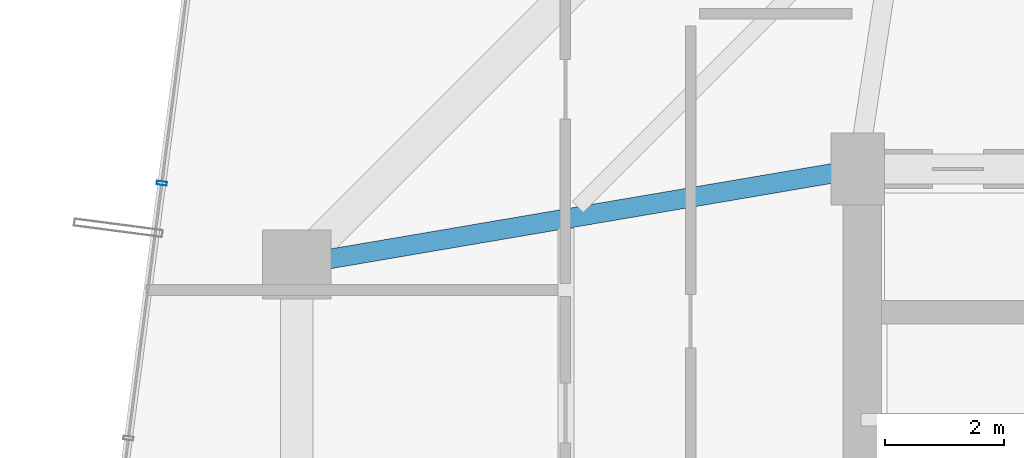
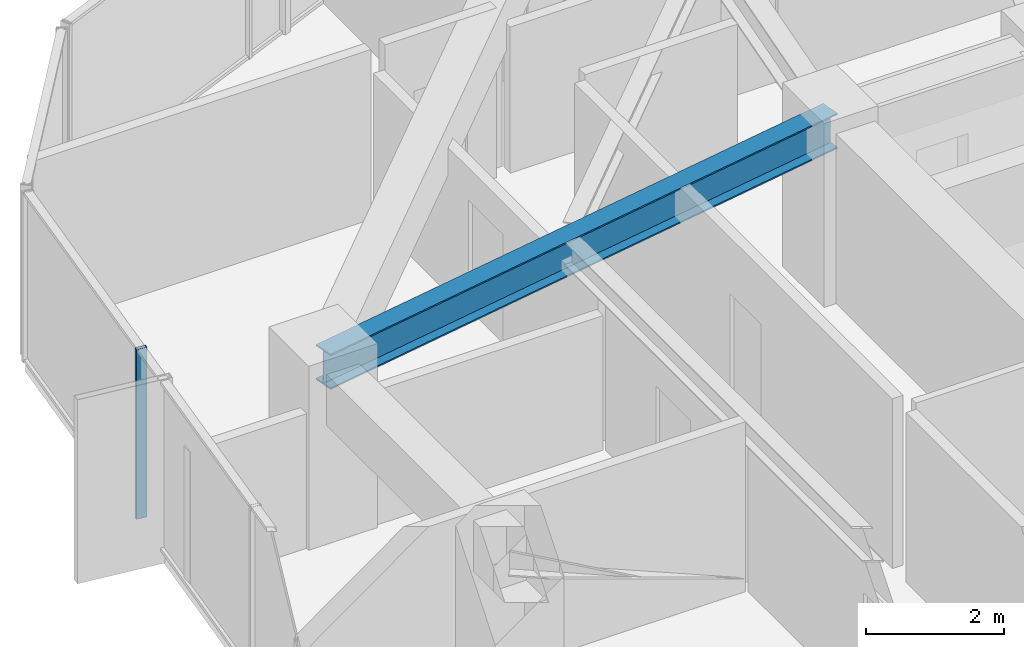
# One storey, part 12 of 30: 1 beam, 1 member, 1 element without a shape of its own.
"""IFC4 building model written with IfcOpenShell, lengths in metres."""

from ifc_helpers import new_model, si_unit, direction, frame, origin, origin_2d, place, context, subcontext, project, spatial, hollow_rectangle, i_section, extrude, source, transform, mapped, material, layer, layer_set, material_profile, profile_set, type_object, element, aggregate, save


model = new_model("IFC4")

# Units and contexts
model_context = context("Model", 3, precision=1e-05, world=origin(), true_north=direction((0.0, 1.0)))
body_context = subcontext(model_context, "Body", "Model", "MODEL_VIEW")
ifc_project = project(units=[si_unit("LENGTHUNIT", "METRE"), si_unit("AREAUNIT", "SQUARE_METRE"), si_unit("VOLUMEUNIT", "CUBIC_METRE"), si_unit("PLANEANGLEUNIT", "RADIAN"), si_unit("MASSUNIT", "GRAM", prefix="KILO")], contexts=[model_context])

# Site, building, storey
site_placement = place(None, origin())
site = spatial("IfcSite", under=ifc_project, at=site_placement, CompositionType="ELEMENT")
building_placement = place(site_placement, origin())
building = spatial("IfcBuilding", under=site, at=building_placement, Name="Veraguas Prism Commons", CompositionType="ELEMENT")
storey_placement = place(building_placement, frame((0.0, 0.0, 102.449951171875)))
storey = spatial("IfcBuildingStorey", under=building, at=storey_placement, Name="L28", CompositionType="ELEMENT", Elevation=102.449951171875)

# Beam
ifc_material_1 = material(Name="Steel ASTM A992 Grade 50", Category="steel")
ifc_material_profile_1 = material_profile(ifc_material_1, i_section(OverallWidth=0.327880859375, OverallDepth=0.6220703125, WebThickness=0.015380859375, FlangeThickness=0.0244140625, at=origin_2d()), Name="W610X195")
ifc_profile_set_1 = profile_set([ifc_material_profile_1], Name="Steel ASTM A992 Grade 50")
beam_type = type_object("IfcBeamType", Name="Zone 2 Radial Girder W610x195", PredefinedType="BEAM", material=ifc_profile_set_1)
beam_placement = place(storey_placement, frame((7.800048828125, 29.39990234375, 2.68896484375), z_axis=(0.985819187151, 0.1678109956, 0.0), x_axis=(-0.1678109956, 0.985819187151, 0.0)))
element("IfcBeam", 1, at=beam_placement, inside=storey, type_object=beam_type, Name="Radial Floor Girder L28-RD07", PredefinedType="BEAM", context=body_context, shape_type="SweptSolid", body=[
    extrude(i_section(OverallWidth=0.327880859375, OverallDepth=0.6220703125, WebThickness=0.015380859375, FlangeThickness=0.0244140625, at=origin_2d()), origin(), (0.0, 0.0, 1.0), 9.53515625),
])

# Curtain wall, member
ifc_material_2 = material(Name="Anodised aluminium EN AW-6063 T6", Category="aluminium")
ifc_layer = layer(ifc_material_2, 0.169921875, Name="Unitised Flush Curtain Wall Zone 2", Category="aluminium")
ifc_layer_set = layer_set([ifc_layer], Name="Anodised aluminium EN AW-6063 T6")
curtain_wall_type = type_object("IfcCurtainWallType", Name="Unitised Flush Curtain Wall Zone 2", PredefinedType="NOTDEFINED", material=ifc_layer_set)
curtain_wall_placement = place(storey_placement, origin())
curtain_wall = element("IfcCurtainWall", 2, at=curtain_wall_placement, inside=storey, type_object=curtain_wall_type, Name="Tower Facade Curtain Wall L28-F3", PredefinedType="NOTDEFINED")
ifc_material_profile_2 = material_profile(ifc_material_2, hollow_rectangle(XDim=0.06005859375, YDim=0.169921875, WallThickness=0.00390625, at=origin_2d()), Name="AL60X170X4")
ifc_profile_set_2 = profile_set([ifc_material_profile_2], Name="Anodised aluminium EN AW-6063 T6")
member_type = type_object("IfcMemberType", Name="Curtain Wall Mullion Lower AL 60x170x4", PredefinedType="MULLION", material=ifc_profile_set_2)
shared_shape = source(origin(), body_context, "Body", "SweptSolid", [
    extrude(hollow_rectangle(XDim=0.06005859375, YDim=0.169921875, WallThickness=0.00390625, at=origin_2d()), origin(), (0.0, 0.0, 1.0), 3.0),
])
member_placement = place(storey_placement, frame((5.539306640625, 30.7626953125, 0.0), z_axis=(0.0, 0.0, 1.0), x_axis=(-0.129834001381, -0.99153574423, 0.0)))
member = element("IfcMember", 3, at=member_placement, type_object=member_type, Name="CW-Z2 Mullion 2", PredefinedType="MULLION", context=body_context, shape_type="MappedRepresentation", body=[
    mapped(shared_shape, transform((0.0, 0.0, 0.0), scale=1.0)),
])
aggregate(curtain_wall, [member])

save(model, "model.ifc")
